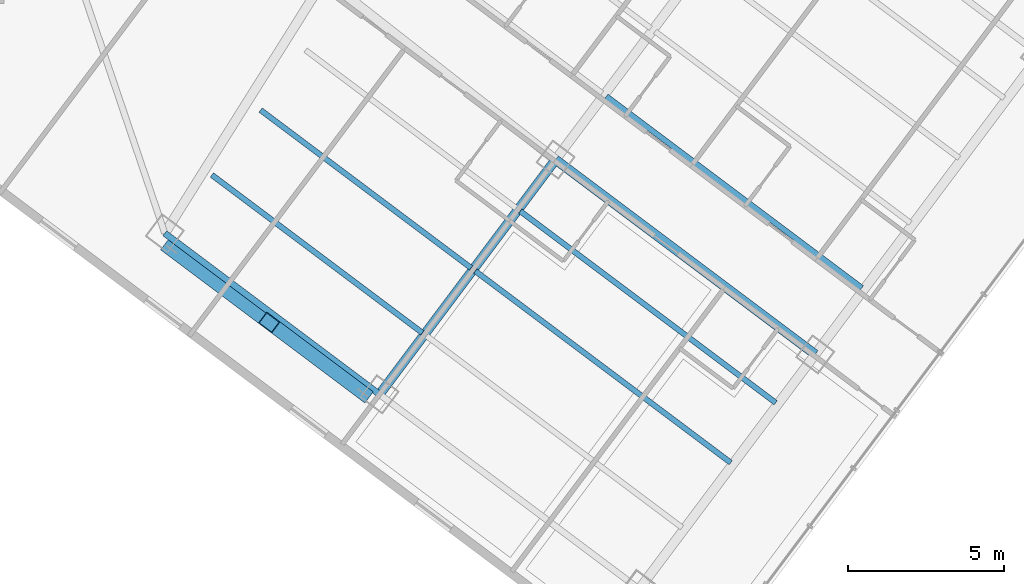
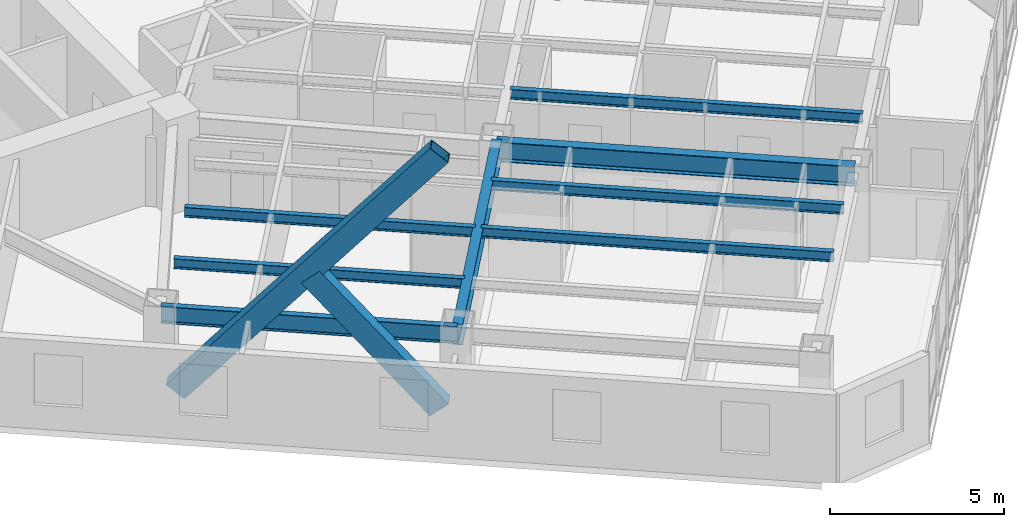
# One storey, part 7 of 30: 8 beams, 2 members.
"""IFC4 building model written with IfcOpenShell, lengths in metres."""

from ifc_helpers import new_model, si_unit, direction, frame, origin, origin_2d, place, context, subcontext, project, spatial, hollow_rectangle, i_section, extrude, material, material_profile, profile_set, type_object, element, save


model = new_model("IFC4")

# Units and contexts
model_context = context("Model", 3, precision=1e-05, world=origin(), true_north=direction((0.0, 1.0)))
body_context = subcontext(model_context, "Body", "Model", "MODEL_VIEW")
ifc_project = project(units=[si_unit("LENGTHUNIT", "METRE"), si_unit("AREAUNIT", "SQUARE_METRE"), si_unit("VOLUMEUNIT", "CUBIC_METRE"), si_unit("PLANEANGLEUNIT", "RADIAN"), si_unit("MASSUNIT", "GRAM", prefix="KILO")], contexts=[model_context])

# Site, building, storey
site_placement = place(None, origin())
site = spatial("IfcSite", under=ifc_project, at=site_placement, CompositionType="ELEMENT")
building_placement = place(site_placement, origin())
building = spatial("IfcBuilding", under=site, at=building_placement, Name="Hatsunagi Terrace Concourse", CompositionType="ELEMENT")
storey_placement = place(building_placement, frame((0.0, 0.0, 74.60009765625)))
storey = spatial("IfcBuildingStorey", under=building, at=storey_placement, Name="L19", CompositionType="ELEMENT", Elevation=74.60009765625)

# Beams
ifc_material_1 = material(Name="Steel SN490B", Category="steel")
ifc_material_profile_1 = material_profile(ifc_material_1, i_section(OverallWidth=0.300048828125, OverallDepth=0.699951171875, WebThickness=0.012939453125, FlangeThickness=0.02392578125, FilletRadius=0.02197265625, at=origin_2d()), Name="H-700x300x13x24")
ifc_profile_set_1 = profile_set([ifc_material_profile_1], Name="Steel SN490B")
beam_type_1 = type_object("IfcBeamType", Name="HotelFloorGirder_H_700x300", PredefinedType="BEAM", material=ifc_profile_set_1)
beam_1_placement = place(storey_placement, frame((45.56005859375, 10.8798828125, 2.77978515625), z_axis=(0.599991688754, 0.800006233367, 0.0), x_axis=(-0.800006233367, 0.599991688754, 0.0)))
element("IfcBeam", 1, at=beam_1_placement, inside=storey, type_object=beam_type_1, Name="Beam G-04 BM-L19-SET-2A", PredefinedType="BEAM", context=body_context, shape_type="SweptSolid", body=[
    extrude(i_section(OverallWidth=0.300048828125, OverallDepth=0.699951171875, WebThickness=0.012939453125, FlangeThickness=0.02392578125, FilletRadius=0.02197265625, at=origin_2d()), origin(), (0.0, 0.0, 1.0), 9.39990234375),
])
beam_2_placement = place(storey_placement, frame((51.199951171875, 18.39990234375, 2.77978515625), z_axis=(0.800002816985, -0.599996244001, 0.0), x_axis=(0.599996244001, 0.800002816985, 0.0)))
element("IfcBeam", 2, at=beam_2_placement, inside=storey, type_object=beam_type_1, Name="Beam G-04 BM-L19-SE-M3", PredefinedType="BEAM", context=body_context, shape_type="SweptSolid", body=[
    extrude(i_section(OverallWidth=0.300048828125, OverallDepth=0.699951171875, WebThickness=0.012939453125, FlangeThickness=0.02392578125, FilletRadius=0.02197265625, at=origin_2d()), origin(), (0.0, 0.0, 1.0), 10.400146484375),
])
ifc_material_2 = material(Name="Steel SN490B", Category="steel")
ifc_material_profile_2 = material_profile(ifc_material_2, i_section(OverallWidth=0.175048828125, OverallDepth=0.35009765625, WebThickness=0.007080078125, FlangeThickness=0.010986328125, FilletRadius=0.012939453125, at=origin_2d()), Name="H-350x175x7x11")
ifc_profile_set_2 = profile_set([ifc_material_profile_2], Name="Steel SN490B")
beam_type_2 = type_object("IfcBeamType", Name="HotelJoist_H_350x175", PredefinedType="JOIST", material=ifc_profile_set_2)
for number, where, z_axis, x_axis, name in (
    (3, (40.18798828125, 17.908935546875, 2.954833984375), (0.800003475366, -0.59999536615, 0.0), (0.59999536615, 0.800003475366, 0.0), "Beam J-02 J-L19-SE-2-46"),
    (4, (41.748046875, 19.989013671875, 2.954833984375), (0.799989573921, -0.600013901187, 0.0), (0.600013901187, 0.799989573921, 0.0), "Beam J-02 J-L19-SE-2-72"),
):
    element("IfcBeam", number, at=place(storey_placement, frame(where, z_axis=z_axis, x_axis=x_axis)), inside=storey, type_object=beam_type_2, Name=name, PredefinedType="JOIST", context=body_context, shape_type="SweptSolid", body=[
        extrude(i_section(OverallWidth=0.175048828125, OverallDepth=0.35009765625, WebThickness=0.007080078125, FlangeThickness=0.010986328125, FilletRadius=0.012939453125, at=origin_2d()), origin(), (0.0, 0.0, 1.0), 8.429931640625),
    ])
beam_3_placement = place(storey_placement, frame((48.6279296875, 14.8291015625, 2.954833984375), z_axis=(0.799994272423, -0.600007636694, 0.0), x_axis=(0.600007636694, 0.799994272423, 0.0)))
element("IfcBeam", 5, at=beam_3_placement, inside=storey, type_object=beam_type_2, Name="Beam J-02 J-L19-SE-3-72", PredefinedType="JOIST", context=body_context, shape_type="SweptSolid", body=[
    extrude(i_section(OverallWidth=0.175048828125, OverallDepth=0.35009765625, WebThickness=0.007080078125, FlangeThickness=0.010986328125, FilletRadius=0.012939453125, at=origin_2d()), origin(), (0.0, 0.0, 1.0), 10.230224609375),
])
beam_4_placement = place(storey_placement, frame((50.068115234375, 16.7490234375, 2.954833984375), z_axis=(0.799997136125, -0.600003818481, 0.0), x_axis=(0.600003818481, 0.799997136125, 0.0)))
element("IfcBeam", 6, at=beam_4_placement, inside=storey, type_object=beam_type_2, Name="Beam J-02 J-L19-SE-3-96", PredefinedType="JOIST", context=body_context, shape_type="SweptSolid", body=[
    extrude(i_section(OverallWidth=0.175048828125, OverallDepth=0.35009765625, WebThickness=0.007080078125, FlangeThickness=0.010986328125, FilletRadius=0.012939453125, at=origin_2d()), origin(), (0.0, 0.0, 1.0), 10.229736328125),
])
beam_5_placement = place(storey_placement, frame((52.827880859375, 20.428955078125, 2.954833984375), z_axis=(0.800005727586, -0.599992363142, 0.0), x_axis=(0.599992363142, 0.800005727586, 0.0)))
element("IfcBeam", 7, at=beam_5_placement, inside=storey, type_object=beam_type_2, Name="Beam J-02 J-L19-SE-3-142", PredefinedType="JOIST", context=body_context, shape_type="SweptSolid", body=[
    extrude(i_section(OverallWidth=0.175048828125, OverallDepth=0.35009765625, WebThickness=0.007080078125, FlangeThickness=0.010986328125, FilletRadius=0.012939453125, at=origin_2d()), origin(), (0.0, 0.0, 1.0), 10.22998046875),
])
ifc_material_3 = material(Name="Steel SN490B", Category="steel")
ifc_material_profile_3 = material_profile(ifc_material_3, i_section(OverallWidth=0.199951171875, OverallDepth=0.60009765625, WebThickness=0.010986328125, FlangeThickness=0.01708984375, FilletRadius=0.01806640625, at=origin_2d()), Name="H-600x200x11x17")
ifc_profile_set_3 = profile_set([ifc_material_profile_3], Name="Steel SN490B")
beam_type_3 = type_object("IfcBeamType", Name="PerimeterSpandrel_H_600x200", PredefinedType="SPANDREL", material=ifc_profile_set_3)
beam_6_placement = place(storey_placement, frame((38.679931640625, 16.0400390625, 2.829833984375), z_axis=(0.799996593451, -0.600004542038, 0.0), x_axis=(0.600004542038, 0.799996593451, 0.0)))
element("IfcBeam", 8, at=beam_6_placement, inside=storey, type_object=beam_type_3, Name="Beam SP-01 BM-L19-SE-SW2", PredefinedType="SPANDREL", context=body_context, shape_type="SweptSolid", body=[
    extrude(i_section(OverallWidth=0.199951171875, OverallDepth=0.60009765625, WebThickness=0.010986328125, FlangeThickness=0.01708984375, FilletRadius=0.01806640625, at=origin_2d()), origin(), (0.0, 0.0, 1.0), 8.60009765625),
])

# Members
ifc_material_4 = material(Name="Steel SN490B", Category="steel")
ifc_material_profile_4 = material_profile(ifc_material_4, hollow_rectangle(XDim=0.449951171875, YDim=0.699951171875, WallThickness=0.028076171875, at=origin_2d()), Name="RHS-700x450x28")
ifc_profile_set_4 = profile_set([ifc_material_profile_4], Name="Steel SN490B")
member_type = type_object("IfcMemberType", Name="PerimeterXBrace_Lower_RHS_700x450x28", PredefinedType="BRACE", material=ifc_profile_set_4)
member_1_placement = place(storey_placement, frame((38.89208984375, 15.531005859375, 0.43994140625), z_axis=(0.519785515071, -0.389854688189, 0.760155471216), x_axis=(0.600015318615, 0.799988510809, 0.0)))
element("IfcMember", 9, at=member_1_placement, inside=storey, type_object=member_type, Name="Perimeter X-Brace XB-01 XB-L19-SEA", PredefinedType="BRACE", context=body_context, shape_type="SweptSolid", body=[
    extrude(hollow_rectangle(XDim=0.449951171875, YDim=0.699951171875, WallThickness=0.028076171875, at=origin_2d()), origin(), (0.0, 0.0, 1.0), 11.77392578125),
])
member_2_placement = place(storey_placement, frame((42.02490234375, 13.180908203125, 4.808837890625), z_axis=(0.519765206801, -0.389770802812, -0.76021237235), x_axis=(0.599947687202, 0.800039231926, 0.0)))
element("IfcMember", 10, at=member_2_placement, inside=storey, type_object=member_type, Name="Perimeter X-Brace Split Lower XB-01 XB-L19-SEB2", PredefinedType="BRACE", context=body_context, shape_type="SweptSolid", body=[
    extrude(hollow_rectangle(XDim=0.449951171875, YDim=0.699951171875, WallThickness=0.028076171875, at=origin_2d()), origin(), (0.0, 0.0, 1.0), 5.746826171875),
])

save(model, "model.ifc")
